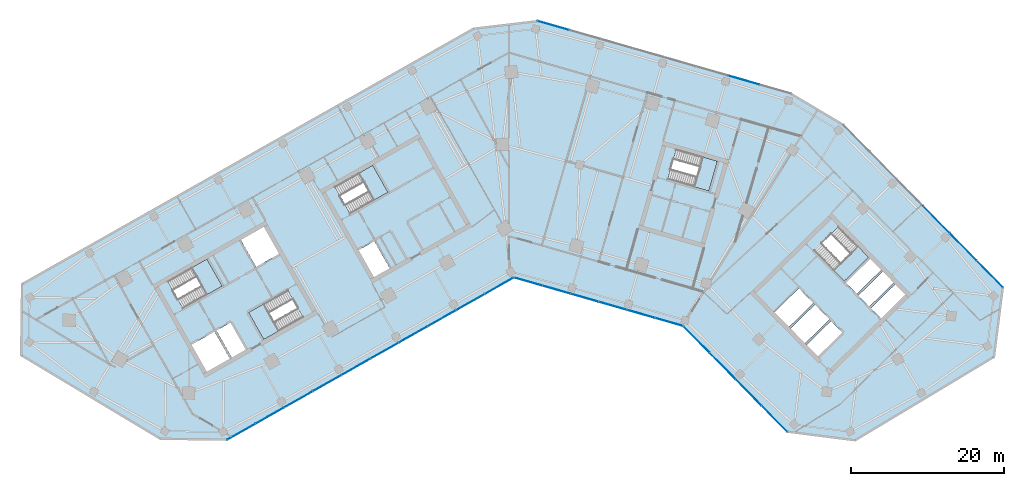
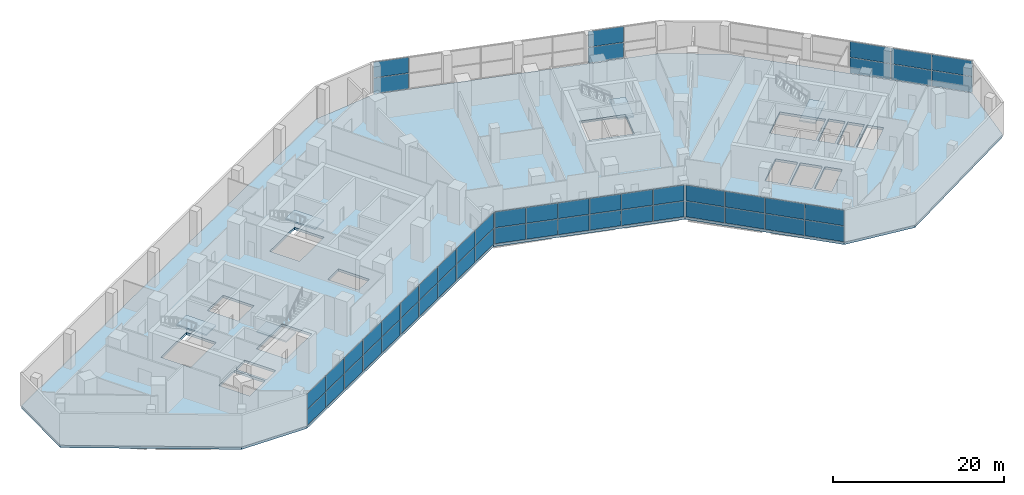
# One storey, part 9 of 18: 50 plates, 6 slabs, 10 elements without a shape of their own.
"""IFC4 building model written with IfcOpenShell, lengths in metres."""

from ifc_helpers import new_model, si_unit, direction, frame, origin, origin_2d, place, context, subcontext, project, spatial, polyline, rectangle, outline, extrude, material, layer, layer_set, type_object, element, aggregate, save


model = new_model("IFC4")

# Units and contexts
model_context = context("Model", 3, precision=1e-05, world=origin(), true_north=direction((0.0, 1.0)))
body_context = subcontext(model_context, "Body", "Model", "MODEL_VIEW")
ifc_project = project(units=[si_unit("LENGTHUNIT", "METRE"), si_unit("AREAUNIT", "SQUARE_METRE"), si_unit("VOLUMEUNIT", "CUBIC_METRE"), si_unit("PLANEANGLEUNIT", "RADIAN"), si_unit("MASSUNIT", "GRAM", prefix="KILO")], contexts=[model_context])

# Site, building, storey
site_placement = place(None, origin())
site = spatial("IfcSite", under=ifc_project, at=site_placement, CompositionType="ELEMENT")
building_placement = place(site_placement, origin())
building = spatial("IfcBuilding", under=site, at=building_placement, Name="Binnacle Exchange Tower", CompositionType="ELEMENT")
storey_placement = place(building_placement, frame((0.0, 0.0, 6.5)))
storey = spatial("IfcBuildingStorey", under=building, at=storey_placement, Name="L01", CompositionType="ELEMENT", Elevation=6.5)

# Curtain wall, plates
ifc_material_1 = material(Name="Bronze anodised aluminium frame", Category="aluminium")
curtain_wall_type_1 = type_object("IfcCurtainWallType", Name="External wall - curtain wall waterfront lobby", PredefinedType="NOTDEFINED", material=ifc_material_1)
curtain_wall_1_placement = place(storey_placement, origin())
curtain_wall_1 = element("IfcCurtainWall", 1, at=curtain_wall_1_placement, inside=storey, type_object=curtain_wall_type_1, Name="External wall curtain wall CW1-P06 L01", PredefinedType="NOTDEFINED")
ifc_material_2 = material(Name="Glass", Category="glass")
ifc_layer_1 = layer(ifc_material_2, 0.0439453125)
ifc_layer_set_1 = layer_set([ifc_layer_1], Name="CW1 GLASS PANEL 44")
plate_type_1 = type_object("IfcPlateType", Name="CW1 GLASS PANEL 44", PredefinedType="CURTAIN_PANEL", material=ifc_layer_set_1)
plate_1_placement = place(storey_placement, frame((-34.9931640625, 22.45703125, 0.06005859375), z_axis=(0.0, 0.0, 1.0), x_axis=(0.870355581144, 0.492423763004, 0.0)))
plate_1 = element("IfcPlate", 2, at=plate_1_placement, type_object=plate_type_1, Name="CW1-P06 panel 1.1", PredefinedType="CURTAIN_PANEL", context=body_context, shape_type="SweptSolid", body=[
    extrude(rectangle(XDim=4.185791015625, YDim=0.0439453125, at=origin_2d()), origin(), (0.0, 0.0, 1.0), 2.235107421875),
])
plate_2_placement = place(storey_placement, frame((-34.9931640625, 22.45703125, 2.35498046875), z_axis=(0.0, 0.0, 1.0), x_axis=(0.870355581144, 0.492423763004, 0.0)))
plate_2 = element("IfcPlate", 3, at=plate_2_placement, type_object=plate_type_1, Name="CW1-P06 panel 1.2", PredefinedType="CURTAIN_PANEL", context=body_context, shape_type="SweptSolid", body=[
    extrude(rectangle(XDim=4.185791015625, YDim=0.0439453125, at=origin_2d()), origin(), (0.0, 0.0, 1.0), 2.235107421875),
])
plate_3_placement = place(storey_placement, frame((-31.26318359375, 24.5673828125, 0.06005859375), z_axis=(0.0, 0.0, 1.0), x_axis=(0.870355581144, 0.492423763004, 0.0)))
plate_3 = element("IfcPlate", 4, at=plate_3_placement, type_object=plate_type_1, Name="CW1-P06 panel 2.1", PredefinedType="CURTAIN_PANEL", context=body_context, shape_type="SweptSolid", body=[
    extrude(rectangle(XDim=4.225830078125, YDim=0.0439453125, at=origin_2d()), origin(), (0.0, 0.0, 1.0), 2.235107421875),
])
plate_4_placement = place(storey_placement, frame((-31.26318359375, 24.5673828125, 2.35498046875), z_axis=(0.0, 0.0, 1.0), x_axis=(0.870355581144, 0.492423763004, 0.0)))
plate_4 = element("IfcPlate", 5, at=plate_4_placement, type_object=plate_type_1, Name="CW1-P06 panel 2.2", PredefinedType="CURTAIN_PANEL", context=body_context, shape_type="SweptSolid", body=[
    extrude(rectangle(XDim=4.225830078125, YDim=0.0439453125, at=origin_2d()), origin(), (0.0, 0.0, 1.0), 2.235107421875),
])
plate_5_placement = place(storey_placement, frame((-27.515380859375, 26.687744140625, 0.06005859375), z_axis=(0.0, 0.0, 1.0), x_axis=(0.870355581144, 0.492423763004, 0.0)))
plate_5 = element("IfcPlate", 6, at=plate_5_placement, type_object=plate_type_1, Name="CW1-P06 panel 3.1", PredefinedType="CURTAIN_PANEL", context=body_context, shape_type="SweptSolid", body=[
    extrude(rectangle(XDim=4.225830078125, YDim=0.0439453125, at=origin_2d()), origin(), (0.0, 0.0, 1.0), 2.235107421875),
])
plate_6_placement = place(storey_placement, frame((-27.515380859375, 26.687744140625, 2.35498046875), z_axis=(0.0, 0.0, 1.0), x_axis=(0.870355581144, 0.492423763004, 0.0)))
plate_6 = element("IfcPlate", 7, at=plate_6_placement, type_object=plate_type_1, Name="CW1-P06 panel 3.2", PredefinedType="CURTAIN_PANEL", context=body_context, shape_type="SweptSolid", body=[
    extrude(rectangle(XDim=4.225830078125, YDim=0.0439453125, at=origin_2d()), origin(), (0.0, 0.0, 1.0), 2.235107421875),
])
plate_7_placement = place(storey_placement, frame((-23.767822265625, 28.807861328125, 0.06005859375), z_axis=(0.0, 0.0, 1.0), x_axis=(0.870355581144, 0.492423763004, 0.0)))
plate_7 = element("IfcPlate", 8, at=plate_7_placement, type_object=plate_type_1, Name="CW1-P06 panel 4.1", PredefinedType="CURTAIN_PANEL", context=body_context, shape_type="SweptSolid", body=[
    extrude(rectangle(XDim=4.225830078125, YDim=0.0439453125, at=origin_2d()), origin(), (0.0, 0.0, 1.0), 2.235107421875),
])
plate_8_placement = place(storey_placement, frame((-23.767822265625, 28.807861328125, 2.35498046875), z_axis=(0.0, 0.0, 1.0), x_axis=(0.870355581144, 0.492423763004, 0.0)))
plate_8 = element("IfcPlate", 9, at=plate_8_placement, type_object=plate_type_1, Name="CW1-P06 panel 4.2", PredefinedType="CURTAIN_PANEL", context=body_context, shape_type="SweptSolid", body=[
    extrude(rectangle(XDim=4.225830078125, YDim=0.0439453125, at=origin_2d()), origin(), (0.0, 0.0, 1.0), 2.235107421875),
])
plate_9_placement = place(storey_placement, frame((-20.020263671875, 30.92822265625, 0.06005859375), z_axis=(0.0, 0.0, 1.0), x_axis=(0.870355581144, 0.492423763004, 0.0)))
plate_9 = element("IfcPlate", 10, at=plate_9_placement, type_object=plate_type_1, Name="CW1-P06 panel 5.1", PredefinedType="CURTAIN_PANEL", context=body_context, shape_type="SweptSolid", body=[
    extrude(rectangle(XDim=4.225830078125, YDim=0.0439453125, at=origin_2d()), origin(), (0.0, 0.0, 1.0), 2.235107421875),
])
plate_10_placement = place(storey_placement, frame((-20.020263671875, 30.92822265625, 2.35498046875), z_axis=(0.0, 0.0, 1.0), x_axis=(0.870355581144, 0.492423763004, 0.0)))
plate_10 = element("IfcPlate", 11, at=plate_10_placement, type_object=plate_type_1, Name="CW1-P06 panel 5.2", PredefinedType="CURTAIN_PANEL", context=body_context, shape_type="SweptSolid", body=[
    extrude(rectangle(XDim=4.225830078125, YDim=0.0439453125, at=origin_2d()), origin(), (0.0, 0.0, 1.0), 2.235107421875),
])
plate_11_placement = place(storey_placement, frame((-16.272705078125, 33.048583984375, 0.06005859375), z_axis=(0.0, 0.0, 1.0), x_axis=(0.870355581144, 0.492423763004, 0.0)))
plate_11 = element("IfcPlate", 12, at=plate_11_placement, type_object=plate_type_1, Name="CW1-P06 panel 6.1", PredefinedType="CURTAIN_PANEL", context=body_context, shape_type="SweptSolid", body=[
    extrude(rectangle(XDim=4.225830078125, YDim=0.0439453125, at=origin_2d()), origin(), (0.0, 0.0, 1.0), 2.235107421875),
])
plate_12_placement = place(storey_placement, frame((-16.272705078125, 33.048583984375, 2.35498046875), z_axis=(0.0, 0.0, 1.0), x_axis=(0.870355581144, 0.492423763004, 0.0)))
plate_12 = element("IfcPlate", 13, at=plate_12_placement, type_object=plate_type_1, Name="CW1-P06 panel 6.2", PredefinedType="CURTAIN_PANEL", context=body_context, shape_type="SweptSolid", body=[
    extrude(rectangle(XDim=4.225830078125, YDim=0.0439453125, at=origin_2d()), origin(), (0.0, 0.0, 1.0), 2.235107421875),
])
plate_13_placement = place(storey_placement, frame((-12.52490234375, 35.1689453125, 0.06005859375), z_axis=(0.0, 0.0, 1.0), x_axis=(0.870355581144, 0.492423763004, 0.0)))
plate_13 = element("IfcPlate", 14, at=plate_13_placement, type_object=plate_type_1, Name="CW1-P06 panel 7.1", PredefinedType="CURTAIN_PANEL", context=body_context, shape_type="SweptSolid", body=[
    extrude(rectangle(XDim=4.225830078125, YDim=0.0439453125, at=origin_2d()), origin(), (0.0, 0.0, 1.0), 2.235107421875),
])
plate_14_placement = place(storey_placement, frame((-12.52490234375, 35.1689453125, 2.35498046875), z_axis=(0.0, 0.0, 1.0), x_axis=(0.870355581144, 0.492423763004, 0.0)))
plate_14 = element("IfcPlate", 15, at=plate_14_placement, type_object=plate_type_1, Name="CW1-P06 panel 7.2", PredefinedType="CURTAIN_PANEL", context=body_context, shape_type="SweptSolid", body=[
    extrude(rectangle(XDim=4.225830078125, YDim=0.0439453125, at=origin_2d()), origin(), (0.0, 0.0, 1.0), 2.235107421875),
])
plate_15_placement = place(storey_placement, frame((-8.77734375, 37.2890625, 0.06005859375), z_axis=(0.0, 0.0, 1.0), x_axis=(0.870355581144, 0.492423763004, 0.0)))
plate_15 = element("IfcPlate", 16, at=plate_15_placement, type_object=plate_type_1, Name="CW1-P06 panel 8.1", PredefinedType="CURTAIN_PANEL", context=body_context, shape_type="SweptSolid", body=[
    extrude(rectangle(XDim=4.225830078125, YDim=0.0439453125, at=origin_2d()), origin(), (0.0, 0.0, 1.0), 2.235107421875),
])
plate_16_placement = place(storey_placement, frame((-8.77734375, 37.2890625, 2.35498046875), z_axis=(0.0, 0.0, 1.0), x_axis=(0.870355581144, 0.492423763004, 0.0)))
plate_16 = element("IfcPlate", 17, at=plate_16_placement, type_object=plate_type_1, Name="CW1-P06 panel 8.2", PredefinedType="CURTAIN_PANEL", context=body_context, shape_type="SweptSolid", body=[
    extrude(rectangle(XDim=4.225830078125, YDim=0.0439453125, at=origin_2d()), origin(), (0.0, 0.0, 1.0), 2.235107421875),
])
plate_17_placement = place(storey_placement, frame((-5.02978515625, 39.409423828125, 0.06005859375), z_axis=(0.0, 0.0, 1.0), x_axis=(0.870355581144, 0.492423763004, 0.0)))
plate_17 = element("IfcPlate", 18, at=plate_17_placement, type_object=plate_type_1, Name="CW1-P06 panel 9.1", PredefinedType="CURTAIN_PANEL", context=body_context, shape_type="SweptSolid", body=[
    extrude(rectangle(XDim=4.225830078125, YDim=0.0439453125, at=origin_2d()), origin(), (0.0, 0.0, 1.0), 2.235107421875),
])
plate_18_placement = place(storey_placement, frame((-5.02978515625, 39.409423828125, 2.35498046875), z_axis=(0.0, 0.0, 1.0), x_axis=(0.870355581144, 0.492423763004, 0.0)))
plate_18 = element("IfcPlate", 19, at=plate_18_placement, type_object=plate_type_1, Name="CW1-P06 panel 9.2", PredefinedType="CURTAIN_PANEL", context=body_context, shape_type="SweptSolid", body=[
    extrude(rectangle(XDim=4.225830078125, YDim=0.0439453125, at=origin_2d()), origin(), (0.0, 0.0, 1.0), 2.235107421875),
])
plate_19_placement = place(storey_placement, frame((-1.299560546875, 41.52001953125, 0.06005859375), z_axis=(0.0, 0.0, 1.0), x_axis=(0.870355581144, 0.492423763004, 0.0)))
plate_19 = element("IfcPlate", 20, at=plate_19_placement, type_object=plate_type_1, Name="CW1-P06 panel 10.1", PredefinedType="CURTAIN_PANEL", context=body_context, shape_type="SweptSolid", body=[
    extrude(rectangle(XDim=4.185791015625, YDim=0.0439453125, at=origin_2d()), origin(), (0.0, 0.0, 1.0), 2.235107421875),
])
plate_20_placement = place(storey_placement, frame((-1.299560546875, 41.52001953125, 2.35498046875), z_axis=(0.0, 0.0, 1.0), x_axis=(0.870355581144, 0.492423763004, 0.0)))
plate_20 = element("IfcPlate", 21, at=plate_20_placement, type_object=plate_type_1, Name="CW1-P06 panel 10.2", PredefinedType="CURTAIN_PANEL", context=body_context, shape_type="SweptSolid", body=[
    extrude(rectangle(XDim=4.185791015625, YDim=0.0439453125, at=origin_2d()), origin(), (0.0, 0.0, 1.0), 2.235107421875),
])
aggregate(curtain_wall_1, [plate_1, plate_2, plate_3, plate_4, plate_5, plate_6, plate_7, plate_8, plate_9, plate_10, plate_11, plate_12, plate_13, plate_14, plate_15, plate_16, plate_17, plate_18, plate_19, plate_20])

curtain_wall_2_placement = place(storey_placement, origin())
curtain_wall_2 = element("IfcCurtainWall", 22, at=curtain_wall_2_placement, inside=storey, type_object=curtain_wall_type_1, Name="External wall curtain wall CW1-P07 L01", PredefinedType="NOTDEFINED")
plate_21_placement = place(storey_placement, frame((2.54638671875, 42.068359375, 0.06005859375), z_axis=(0.0, 0.0, 1.0), x_axis=(0.961261813321, -0.275636946454, 0.0)))
plate_21 = element("IfcPlate", 23, at=plate_21_placement, type_object=plate_type_1, Name="CW1-P07 panel 1.1", PredefinedType="CURTAIN_PANEL", context=body_context, shape_type="SweptSolid", body=[
    extrude(rectangle(XDim=3.70703125, YDim=0.0439453125, at=origin_2d()), origin(), (0.0, 0.0, 1.0), 2.235107421875),
])
plate_22_placement = place(storey_placement, frame((2.54638671875, 42.068359375, 2.35498046875), z_axis=(0.0, 0.0, 1.0), x_axis=(0.961261813321, -0.275636946454, 0.0)))
plate_22 = element("IfcPlate", 24, at=plate_22_placement, type_object=plate_type_1, Name="CW1-P07 panel 1.2", PredefinedType="CURTAIN_PANEL", context=body_context, shape_type="SweptSolid", body=[
    extrude(rectangle(XDim=3.70703125, YDim=0.0439453125, at=origin_2d()), origin(), (0.0, 0.0, 1.0), 2.235107421875),
])
plate_23_placement = place(storey_placement, frame((6.2060546875, 41.01904296875, 0.06005859375), z_axis=(0.0, 0.0, 1.0), x_axis=(0.961261813321, -0.275636946454, 0.0)))
plate_23 = element("IfcPlate", 25, at=plate_23_placement, type_object=plate_type_1, Name="CW1-P07 panel 2.1", PredefinedType="CURTAIN_PANEL", context=body_context, shape_type="SweptSolid", body=[
    extrude(rectangle(XDim=3.7470703125, YDim=0.0439453125, at=origin_2d()), origin(), (0.0, 0.0, 1.0), 2.235107421875),
])
plate_24_placement = place(storey_placement, frame((6.2060546875, 41.01904296875, 2.35498046875), z_axis=(0.0, 0.0, 1.0), x_axis=(0.961261813321, -0.275636946454, 0.0)))
plate_24 = element("IfcPlate", 26, at=plate_24_placement, type_object=plate_type_1, Name="CW1-P07 panel 2.2", PredefinedType="CURTAIN_PANEL", context=body_context, shape_type="SweptSolid", body=[
    extrude(rectangle(XDim=3.7470703125, YDim=0.0439453125, at=origin_2d()), origin(), (0.0, 0.0, 1.0), 2.235107421875),
])
plate_25_placement = place(storey_placement, frame((9.884765625, 39.964111328125, 0.06005859375), z_axis=(0.0, 0.0, 1.0), x_axis=(0.961261813321, -0.275636946454, 0.0)))
plate_25 = element("IfcPlate", 27, at=plate_25_placement, type_object=plate_type_1, Name="CW1-P07 panel 3.1", PredefinedType="CURTAIN_PANEL", context=body_context, shape_type="SweptSolid", body=[
    extrude(rectangle(XDim=3.7470703125, YDim=0.0439453125, at=origin_2d()), origin(), (0.0, 0.0, 1.0), 2.235107421875),
])
plate_26_placement = place(storey_placement, frame((9.884765625, 39.964111328125, 2.35498046875), z_axis=(0.0, 0.0, 1.0), x_axis=(0.961261813321, -0.275636946454, 0.0)))
plate_26 = element("IfcPlate", 28, at=plate_26_placement, type_object=plate_type_1, Name="CW1-P07 panel 3.2", PredefinedType="CURTAIN_PANEL", context=body_context, shape_type="SweptSolid", body=[
    extrude(rectangle(XDim=3.7470703125, YDim=0.0439453125, at=origin_2d()), origin(), (0.0, 0.0, 1.0), 2.235107421875),
])
plate_27_placement = place(storey_placement, frame((13.563720703125, 38.9091796875, 0.06005859375), z_axis=(0.0, 0.0, 1.0), x_axis=(0.961261813321, -0.275636946454, 0.0)))
plate_27 = element("IfcPlate", 29, at=plate_27_placement, type_object=plate_type_1, Name="CW1-P07 panel 4.1", PredefinedType="CURTAIN_PANEL", context=body_context, shape_type="SweptSolid", body=[
    extrude(rectangle(XDim=3.7470703125, YDim=0.0439453125, at=origin_2d()), origin(), (0.0, 0.0, 1.0), 2.235107421875),
])
plate_28_placement = place(storey_placement, frame((13.563720703125, 38.9091796875, 2.35498046875), z_axis=(0.0, 0.0, 1.0), x_axis=(0.961261813321, -0.275636946454, 0.0)))
plate_28 = element("IfcPlate", 30, at=plate_28_placement, type_object=plate_type_1, Name="CW1-P07 panel 4.2", PredefinedType="CURTAIN_PANEL", context=body_context, shape_type="SweptSolid", body=[
    extrude(rectangle(XDim=3.7470703125, YDim=0.0439453125, at=origin_2d()), origin(), (0.0, 0.0, 1.0), 2.235107421875),
])
plate_29_placement = place(storey_placement, frame((17.24267578125, 37.854248046875, 0.06005859375), z_axis=(0.0, 0.0, 1.0), x_axis=(0.961261813321, -0.275636946454, 0.0)))
plate_29 = element("IfcPlate", 31, at=plate_29_placement, type_object=plate_type_1, Name="CW1-P07 panel 5.1", PredefinedType="CURTAIN_PANEL", context=body_context, shape_type="SweptSolid", body=[
    extrude(rectangle(XDim=3.7470703125, YDim=0.0439453125, at=origin_2d()), origin(), (0.0, 0.0, 1.0), 2.235107421875),
])
plate_30_placement = place(storey_placement, frame((17.24267578125, 37.854248046875, 2.35498046875), z_axis=(0.0, 0.0, 1.0), x_axis=(0.961261813321, -0.275636946454, 0.0)))
plate_30 = element("IfcPlate", 32, at=plate_30_placement, type_object=plate_type_1, Name="CW1-P07 panel 5.2", PredefinedType="CURTAIN_PANEL", context=body_context, shape_type="SweptSolid", body=[
    extrude(rectangle(XDim=3.7470703125, YDim=0.0439453125, at=origin_2d()), origin(), (0.0, 0.0, 1.0), 2.235107421875),
])
plate_31_placement = place(storey_placement, frame((20.90234375, 36.804931640625, 0.06005859375), z_axis=(0.0, 0.0, 1.0), x_axis=(0.961261813321, -0.275636946454, 0.0)))
plate_31 = element("IfcPlate", 33, at=plate_31_placement, type_object=plate_type_1, Name="CW1-P07 panel 6.1", PredefinedType="CURTAIN_PANEL", context=body_context, shape_type="SweptSolid", body=[
    extrude(rectangle(XDim=3.70703125, YDim=0.0439453125, at=origin_2d()), origin(), (0.0, 0.0, 1.0), 2.235107421875),
])
plate_32_placement = place(storey_placement, frame((20.90234375, 36.804931640625, 2.35498046875), z_axis=(0.0, 0.0, 1.0), x_axis=(0.961261813321, -0.275636946454, 0.0)))
plate_32 = element("IfcPlate", 34, at=plate_32_placement, type_object=plate_type_1, Name="CW1-P07 panel 6.2", PredefinedType="CURTAIN_PANEL", context=body_context, shape_type="SweptSolid", body=[
    extrude(rectangle(XDim=3.70703125, YDim=0.0439453125, at=origin_2d()), origin(), (0.0, 0.0, 1.0), 2.235107421875),
])
aggregate(curtain_wall_2, [plate_21, plate_22, plate_23, plate_24, plate_25, plate_26, plate_27, plate_28, plate_29, plate_30, plate_31, plate_32])

curtain_wall_3_placement = place(storey_placement, origin())
curtain_wall_3 = element("IfcCurtainWall", 35, at=curtain_wall_3_placement, inside=storey, type_object=curtain_wall_type_1, Name="External wall curtain wall CW1-P08 L01", PredefinedType="NOTDEFINED")
plate_33_placement = place(storey_placement, frame((24.52734375, 34.497314453125, 0.06005859375), z_axis=(0.0, 0.0, 1.0), x_axis=(0.700909354403, -0.71325036061, 0.0)))
plate_33 = element("IfcPlate", 36, at=plate_33_placement, type_object=plate_type_1, Name="CW1-P08 panel 1.1", PredefinedType="CURTAIN_PANEL", context=body_context, shape_type="SweptSolid", body=[
    extrude(rectangle(XDim=4.724853515625, YDim=0.0439453125, at=origin_2d()), origin(), (0.0, 0.0, 1.0), 2.235107421875),
])
plate_34_placement = place(storey_placement, frame((24.52734375, 34.497314453125, 2.35498046875), z_axis=(0.0, 0.0, 1.0), x_axis=(0.700909354403, -0.71325036061, 0.0)))
plate_34 = element("IfcPlate", 37, at=plate_34_placement, type_object=plate_type_1, Name="CW1-P08 panel 1.2", PredefinedType="CURTAIN_PANEL", context=body_context, shape_type="SweptSolid", body=[
    extrude(rectangle(XDim=4.724853515625, YDim=0.0439453125, at=origin_2d()), origin(), (0.0, 0.0, 1.0), 2.235107421875),
])
plate_35_placement = place(storey_placement, frame((27.9091796875, 31.05615234375, 0.06005859375), z_axis=(0.0, 0.0, 1.0), x_axis=(0.700909354403, -0.71325036061, 0.0)))
plate_35 = element("IfcPlate", 38, at=plate_35_placement, type_object=plate_type_1, Name="CW1-P08 panel 2.1", PredefinedType="CURTAIN_PANEL", context=body_context, shape_type="SweptSolid", body=[
    extrude(rectangle(XDim=4.7646484375, YDim=0.0439453125, at=origin_2d()), origin(), (0.0, 0.0, 1.0), 2.235107421875),
])
plate_36_placement = place(storey_placement, frame((27.9091796875, 31.05615234375, 2.35498046875), z_axis=(0.0, 0.0, 1.0), x_axis=(0.700909354403, -0.71325036061, 0.0)))
plate_36 = element("IfcPlate", 39, at=plate_36_placement, type_object=plate_type_1, Name="CW1-P08 panel 2.2", PredefinedType="CURTAIN_PANEL", context=body_context, shape_type="SweptSolid", body=[
    extrude(rectangle(XDim=4.7646484375, YDim=0.0439453125, at=origin_2d()), origin(), (0.0, 0.0, 1.0), 2.235107421875),
])
plate_37_placement = place(storey_placement, frame((31.304931640625, 27.6005859375, 0.06005859375), z_axis=(0.0, 0.0, 1.0), x_axis=(0.700909354403, -0.71325036061, 0.0)))
plate_37 = element("IfcPlate", 40, at=plate_37_placement, type_object=plate_type_1, Name="CW1-P08 panel 3.1", PredefinedType="CURTAIN_PANEL", context=body_context, shape_type="SweptSolid", body=[
    extrude(rectangle(XDim=4.7646484375, YDim=0.0439453125, at=origin_2d()), origin(), (0.0, 0.0, 1.0), 2.235107421875),
])
plate_38_placement = place(storey_placement, frame((31.304931640625, 27.6005859375, 2.35498046875), z_axis=(0.0, 0.0, 1.0), x_axis=(0.700909354403, -0.71325036061, 0.0)))
plate_38 = element("IfcPlate", 41, at=plate_38_placement, type_object=plate_type_1, Name="CW1-P08 panel 3.2", PredefinedType="CURTAIN_PANEL", context=body_context, shape_type="SweptSolid", body=[
    extrude(rectangle(XDim=4.7646484375, YDim=0.0439453125, at=origin_2d()), origin(), (0.0, 0.0, 1.0), 2.235107421875),
])
plate_39_placement = place(storey_placement, frame((34.6865234375, 24.1591796875, 0.06005859375), z_axis=(0.0, 0.0, 1.0), x_axis=(0.700909354403, -0.71325036061, 0.0)))
plate_39 = element("IfcPlate", 42, at=plate_39_placement, type_object=plate_type_1, Name="CW1-P08 panel 4.1", PredefinedType="CURTAIN_PANEL", context=body_context, shape_type="SweptSolid", body=[
    extrude(rectangle(XDim=4.724853515625, YDim=0.0439453125, at=origin_2d()), origin(), (0.0, 0.0, 1.0), 2.235107421875),
])
plate_40_placement = place(storey_placement, frame((34.6865234375, 24.1591796875, 2.35498046875), z_axis=(0.0, 0.0, 1.0), x_axis=(0.700909354403, -0.71325036061, 0.0)))
plate_40 = element("IfcPlate", 43, at=plate_40_placement, type_object=plate_type_1, Name="CW1-P08 panel 4.2", PredefinedType="CURTAIN_PANEL", context=body_context, shape_type="SweptSolid", body=[
    extrude(rectangle(XDim=4.724853515625, YDim=0.0439453125, at=origin_2d()), origin(), (0.0, 0.0, 1.0), 2.235107421875),
])
aggregate(curtain_wall_3, [plate_33, plate_34, plate_35, plate_36, plate_37, plate_38, plate_39, plate_40])

curtain_wall_type_2 = type_object("IfcCurtainWallType", Name="External wall - curtain wall north entrance", PredefinedType="NOTDEFINED", material=ifc_material_1)
curtain_wall_4_placement = place(storey_placement, origin())
curtain_wall_4 = element("IfcCurtainWall", 44, at=curtain_wall_4_placement, inside=storey, type_object=curtain_wall_type_2, Name="External wall curtain wall CW2-P00 L01", PredefinedType="NOTDEFINED")
ifc_layer_2 = layer(ifc_material_2, 0.0400390625)
ifc_layer_set_2 = layer_set([ifc_layer_2], Name="CW2 GLASS PANEL 40")
plate_type_2 = type_object("IfcPlateType", Name="CW2 GLASS PANEL 40", PredefinedType="CURTAIN_PANEL", material=ifc_layer_set_2)
plate_41_placement = place(storey_placement, frame((30.673095703125, 68.40625, 0.06005859375), z_axis=(0.0, 0.0, 1.0), x_axis=(-0.961261813316, 0.275636946471, 0.0)))
plate_41 = element("IfcPlate", 45, at=plate_41_placement, type_object=plate_type_2, Name="CW2-P00 panel 2.1", PredefinedType="CURTAIN_PANEL", context=body_context, shape_type="SweptSolid", body=[
    extrude(rectangle(XDim=4.238525390625, YDim=0.0400390625, at=origin_2d()), origin(), (0.0, 0.0, 1.0), 2.235107421875),
])
plate_42_placement = place(storey_placement, frame((30.673095703125, 68.40625, 2.35498046875), z_axis=(0.0, 0.0, 1.0), x_axis=(-0.961261813316, 0.275636946471, 0.0)))
plate_42 = element("IfcPlate", 46, at=plate_42_placement, type_object=plate_type_2, Name="CW2-P00 panel 2.2", PredefinedType="CURTAIN_PANEL", context=body_context, shape_type="SweptSolid", body=[
    extrude(rectangle(XDim=4.238525390625, YDim=0.0400390625, at=origin_2d()), origin(), (0.0, 0.0, 1.0), 2.235107421875),
])
plate_43_placement = place(storey_placement, frame((5.7841796875, 75.54296875, 0.06005859375), z_axis=(0.0, 0.0, 1.0), x_axis=(-0.961261813316, 0.275636946471, 0.0)))
plate_43 = element("IfcPlate", 47, at=plate_43_placement, type_object=plate_type_2, Name="CW2-P00 panel 8.1", PredefinedType="CURTAIN_PANEL", context=body_context, shape_type="SweptSolid", body=[
    extrude(rectangle(XDim=4.19873046875, YDim=0.0400390625, at=origin_2d()), origin(), (0.0, 0.0, 1.0), 2.235107421875),
])
plate_44_placement = place(storey_placement, frame((5.7841796875, 75.54296875, 2.35498046875), z_axis=(0.0, 0.0, 1.0), x_axis=(-0.961261813316, 0.275636946471, 0.0)))
plate_44 = element("IfcPlate", 48, at=plate_44_placement, type_object=plate_type_2, Name="CW2-P00 panel 8.2", PredefinedType="CURTAIN_PANEL", context=body_context, shape_type="SweptSolid", body=[
    extrude(rectangle(XDim=4.19873046875, YDim=0.0400390625, at=origin_2d()), origin(), (0.0, 0.0, 1.0), 2.235107421875),
])
aggregate(curtain_wall_4, [plate_41, plate_42, plate_43, plate_44])

curtain_wall_5_placement = place(storey_placement, origin())
curtain_wall_5 = element("IfcCurtainWall", 49, at=curtain_wall_5_placement, inside=storey, type_object=curtain_wall_type_2, Name="External wall curtain wall CW2-P12 L01", PredefinedType="NOTDEFINED")
plate_45_placement = place(storey_placement, frame((62.83349609375, 43.0791015625, 0.06005859375), z_axis=(0.0, 0.0, 1.0), x_axis=(-0.70090935439, 0.713250360623, 0.0)))
plate_45 = element("IfcPlate", 50, at=plate_45_placement, type_object=plate_type_2, Name="CW2-P12 panel 1.1", PredefinedType="CURTAIN_PANEL", context=body_context, shape_type="SweptSolid", body=[
    extrude(rectangle(XDim=4.862548828125, YDim=0.0400390625, at=origin_2d()), origin(), (0.0, 0.0, 1.0), 2.235107421875),
])
plate_46_placement = place(storey_placement, frame((62.83349609375, 43.0791015625, 2.35498046875), z_axis=(0.0, 0.0, 1.0), x_axis=(-0.70090935439, 0.713250360623, 0.0)))
plate_46 = element("IfcPlate", 51, at=plate_46_placement, type_object=plate_type_2, Name="CW2-P12 panel 1.2", PredefinedType="CURTAIN_PANEL", context=body_context, shape_type="SweptSolid", body=[
    extrude(rectangle(XDim=4.862548828125, YDim=0.0400390625, at=origin_2d()), origin(), (0.0, 0.0, 1.0), 2.235107421875),
])
plate_47_placement = place(storey_placement, frame((59.355224609375, 46.61865234375, 0.06005859375), z_axis=(0.0, 0.0, 1.0), x_axis=(-0.70090935439, 0.713250360623, 0.0)))
plate_47 = element("IfcPlate", 52, at=plate_47_placement, type_object=plate_type_2, Name="CW2-P12 panel 2.1", PredefinedType="CURTAIN_PANEL", context=body_context, shape_type="SweptSolid", body=[
    extrude(rectangle(XDim=4.902587890625, YDim=0.0400390625, at=origin_2d()), origin(), (0.0, 0.0, 1.0), 2.235107421875),
])
plate_48_placement = place(storey_placement, frame((59.355224609375, 46.61865234375, 2.35498046875), z_axis=(0.0, 0.0, 1.0), x_axis=(-0.70090935439, 0.713250360623, 0.0)))
plate_48 = element("IfcPlate", 53, at=plate_48_placement, type_object=plate_type_2, Name="CW2-P12 panel 2.2", PredefinedType="CURTAIN_PANEL", context=body_context, shape_type="SweptSolid", body=[
    extrude(rectangle(XDim=4.902587890625, YDim=0.0400390625, at=origin_2d()), origin(), (0.0, 0.0, 1.0), 2.235107421875),
])
plate_49_placement = place(storey_placement, frame((55.86279296875, 50.17236328125, 0.06005859375), z_axis=(0.0, 0.0, 1.0), x_axis=(-0.70090935439, 0.713250360623, 0.0)))
plate_49 = element("IfcPlate", 54, at=plate_49_placement, type_object=plate_type_2, Name="CW2-P12 panel 3.1", PredefinedType="CURTAIN_PANEL", context=body_context, shape_type="SweptSolid", body=[
    extrude(rectangle(XDim=4.902587890625, YDim=0.0400390625, at=origin_2d()), origin(), (0.0, 0.0, 1.0), 2.235107421875),
])
plate_50_placement = place(storey_placement, frame((55.86279296875, 50.17236328125, 2.35498046875), z_axis=(0.0, 0.0, 1.0), x_axis=(-0.70090935439, 0.713250360623, 0.0)))
plate_50 = element("IfcPlate", 55, at=plate_50_placement, type_object=plate_type_2, Name="CW2-P12 panel 3.2", PredefinedType="CURTAIN_PANEL", context=body_context, shape_type="SweptSolid", body=[
    extrude(rectangle(XDim=4.902587890625, YDim=0.0400390625, at=origin_2d()), origin(), (0.0, 0.0, 1.0), 2.235107421875),
])
aggregate(curtain_wall_5, [plate_45, plate_46, plate_47, plate_48, plate_49, plate_50])

# Slab
ifc_material_3 = material(Name="Concrete C35/45", Category="concrete")
ifc_layer_3 = layer(ifc_material_3, 0.35009765625)
ifc_layer_set_3 = layer_set([ifc_layer_3], Name="Floor slab 350 Concrete C35/45")
slab_type_1 = type_object("IfcSlabType", Name="Floor slab 350 Concrete C35/45", PredefinedType="FLOOR", material=ifc_layer_set_3)
slab_1_placement = place(storey_placement, frame((0.0, 0.0, -0.35009765625)))
element("IfcSlab", 56, at=slab_1_placement, inside=storey, type_object=slab_type_1, Name="S:SL:L01:01", PredefinedType="FLOOR", context=body_context, shape_type="SweptSolid", body=[
    extrude(outline(polyline([(64.52880859375, 41.35400390625), (63.369873046875, 32.243408203125), (45.233154296875, 21.345703125), (36.33984375, 22.47705078125), (22.79248046875, 36.2626953125), (0.63720703125, 42.61572265625), (-36.81201171875, 21.427978515625), (-45.560791015625, 21.54248046875), (-63.753173828125, 32.4736328125), (-63.6318359375, 41.74365234375), (-4.6328125, 75.12353515625), (3.775634765625, 76.118896484375), (36.7900390625, 66.652099609375), (43.719970703125, 62.529296875), (64.52880859375, 41.35400390625)]), holes=[polyline([(-38.4794921875, 35.529296875), (-41.61279296875, 33.756591796875), (-39.544677734375, 30.10107421875), (-36.411376953125, 31.873779296875), (-38.4794921875, 35.529296875)]), polyline([(-34.322509765625, 33.0556640625), (-36.390625, 36.711181640625), (-38.21826171875, 35.677001953125), (-36.150146484375, 32.021484375), (-34.322509765625, 33.0556640625)]), polyline([(-34.040771484375, 38.04052734375), (-32.04638671875, 34.515625), (-26.9287109375, 37.4111328125), (-28.923095703125, 40.93603515625), (-34.040771484375, 38.04052734375)]), polyline([(-37.486572265625, 41.4912109375), (-39.480712890625, 45.01611328125), (-44.598388671875, 42.12060546875), (-42.604248046875, 38.595703125), (-37.486572265625, 41.4912109375)]), polyline([(-15.53076171875, 43.6875), (-17.598876953125, 47.343017578125), (-19.77490234375, 46.11181640625), (-17.70654296875, 42.456298828125), (-15.53076171875, 43.6875)]), polyline([(-29.914306640625, 45.775390625), (-31.982666015625, 49.430908203125), (-35.115966796875, 47.657958984375), (-33.047607421875, 44.00244140625), (-29.914306640625, 45.775390625)]), polyline([(-15.822509765625, 53.748046875), (-17.81689453125, 57.27294921875), (-22.760498046875, 54.47607421875), (-20.76611328125, 50.950927734375), (-15.822509765625, 53.748046875)]), polyline([(26.111328125, 53.9169921875), (27.227783203125, 57.810302734375), (21.864013671875, 59.348388671875), (20.74755859375, 55.455078125), (26.111328125, 53.9169921875)]), polyline([(40.268798828125, 32.201904296875), (43.549560546875, 35.426025390625), (42.07763671875, 36.923828125), (38.796875, 33.69970703125), (40.268798828125, 32.201904296875)]), polyline([(38.58642578125, 33.913818359375), (41.867431640625, 37.137939453125), (39.97509765625, 39.063720703125), (36.694091796875, 35.83935546875), (38.58642578125, 33.913818359375)]), polyline([(36.48388671875, 36.053466796875), (39.7646484375, 39.277587890625), (37.872314453125, 41.203369140625), (34.59130859375, 37.979248046875), (36.48388671875, 36.053466796875)]), polyline([(48.726806640625, 37.148681640625), (52.0078125, 40.372802734375), (50.577880859375, 41.827880859375), (47.296875, 38.603759765625), (48.726806640625, 37.148681640625)]), polyline([(47.086669921875, 38.817626953125), (50.36767578125, 42.0419921875), (48.944580078125, 43.48974609375), (45.663818359375, 40.265625), (47.086669921875, 38.817626953125)]), polyline([(45.45361328125, 40.4794921875), (48.734375, 43.703857421875), (47.3115234375, 45.151611328125), (44.030517578125, 41.927490234375), (45.45361328125, 40.4794921875)]), polyline([(43.8203125, 42.141357421875), (46.994384765625, 45.260498046875), (43.083251953125, 49.240478515625), (39.9091796875, 46.121337890625), (43.8203125, 42.141357421875)])]), origin(), (0.0, 0.0, 1.0), 0.35009765625),
])

# Stair, slab
stair_type = type_object("IfcStairType", Name="STAIR 28 RISERS 179", PredefinedType="HALF_TURN_STAIR", material=ifc_material_3)
stair_1_placement = place(storey_placement, origin())
stair_1 = element("IfcStair", 57, at=stair_1_placement, inside=storey, type_object=stair_type, Name="L01 Escape stair A1", PredefinedType="HALF_TURN_STAIR")
ifc_layer_4 = layer(ifc_material_3, 0.199951171875)
ifc_layer_set_4 = layer_set([ifc_layer_4], Name="STAIR LANDING 200")
slab_type_2 = type_object("IfcSlabType", Name="STAIR LANDING 200", PredefinedType="LANDING", material=ifc_layer_set_4)
slab_2_placement = place(storey_placement, frame((0.0, 0.0, 2.300048828125)))
slab_2 = element("IfcSlab", 58, at=slab_2_placement, type_object=slab_type_2, Name="STA1 landing 1", PredefinedType="LANDING", context=body_context, shape_type="SweptSolid", body=[
    extrude(outline(polyline([(-39.470947265625, 40.368408203125), (-37.486572265625, 41.4912109375), (-39.48095703125, 45.01611328125), (-41.46533203125, 43.893310546875), (-39.470947265625, 40.368408203125)])), origin(), (0.0, 0.0, 1.0), 0.199951171875),
])
aggregate(stair_1, [slab_2])

stair_2_placement = place(storey_placement, origin())
stair_2 = element("IfcStair", 59, at=stair_2_placement, inside=storey, type_object=stair_type, Name="L01 Escape stair A2", PredefinedType="HALF_TURN_STAIR")
slab_3_placement = place(storey_placement, frame((0.0, 0.0, 2.300048828125)))
slab_3 = element("IfcSlab", 60, at=slab_3_placement, type_object=slab_type_2, Name="STA2 landing 1", PredefinedType="LANDING", context=body_context, shape_type="SweptSolid", body=[
    extrude(outline(polyline([(-32.05615234375, 39.163330078125), (-34.040771484375, 38.04052734375), (-32.04638671875, 34.515625), (-30.06201171875, 35.638427734375), (-32.05615234375, 39.163330078125)])), origin(), (0.0, 0.0, 1.0), 0.199951171875),
])
aggregate(stair_2, [slab_3])

stair_3_placement = place(storey_placement, origin())
stair_3 = element("IfcStair", 61, at=stair_3_placement, inside=storey, type_object=stair_type, Name="L01 Escape stair B1", PredefinedType="HALF_TURN_STAIR")
slab_4_placement = place(storey_placement, frame((0.0, 0.0, 2.300048828125)))
slab_4 = element("IfcSlab", 62, at=slab_4_placement, type_object=slab_type_2, Name="STB1 landing 1", PredefinedType="LANDING", context=body_context, shape_type="SweptSolid", body=[
    extrude(outline(polyline([(42.4326171875, 43.5537109375), (43.8203125, 42.141357421875), (46.994384765625, 45.260498046875), (45.606689453125, 46.672607421875), (42.4326171875, 43.5537109375)])), origin(), (0.0, 0.0, 1.0), 0.199951171875),
])
aggregate(stair_3, [slab_4])

stair_4_placement = place(storey_placement, origin())
stair_4 = element("IfcStair", 63, at=stair_4_placement, inside=storey, type_object=stair_type, Name="L01 Escape stair C1", PredefinedType="HALF_TURN_STAIR")
slab_5_placement = place(storey_placement, frame((0.0, 0.0, 2.300048828125)))
slab_5 = element("IfcSlab", 64, at=slab_5_placement, type_object=slab_type_2, Name="STC1 landing 1", PredefinedType="LANDING", context=body_context, shape_type="SweptSolid", body=[
    extrude(outline(polyline([(-17.6328125, 52.7236328125), (-15.822509765625, 53.748046875), (-17.81689453125, 57.27294921875), (-19.627197265625, 56.248779296875), (-17.6328125, 52.7236328125)])), origin(), (0.0, 0.0, 1.0), 0.199951171875),
])
aggregate(stair_4, [slab_5])

stair_5_placement = place(storey_placement, origin())
stair_5 = element("IfcStair", 65, at=stair_5_placement, inside=storey, type_object=stair_type, Name="L01 Escape stair D1", PredefinedType="HALF_TURN_STAIR")
slab_6_placement = place(storey_placement, frame((0.0, 0.0, 2.300048828125)))
slab_6 = element("IfcSlab", 66, at=slab_6_placement, type_object=slab_type_2, Name="STD1 landing 1", PredefinedType="LANDING", context=body_context, shape_type="SweptSolid", body=[
    extrude(outline(polyline([(24.2080078125, 54.462890625), (26.111328125, 53.917236328125), (27.227783203125, 57.810302734375), (25.324462890625, 58.35595703125), (24.2080078125, 54.462890625)])), origin(), (0.0, 0.0, 1.0), 0.199951171875),
])
aggregate(stair_5, [slab_6])

save(model, "model.ifc")
